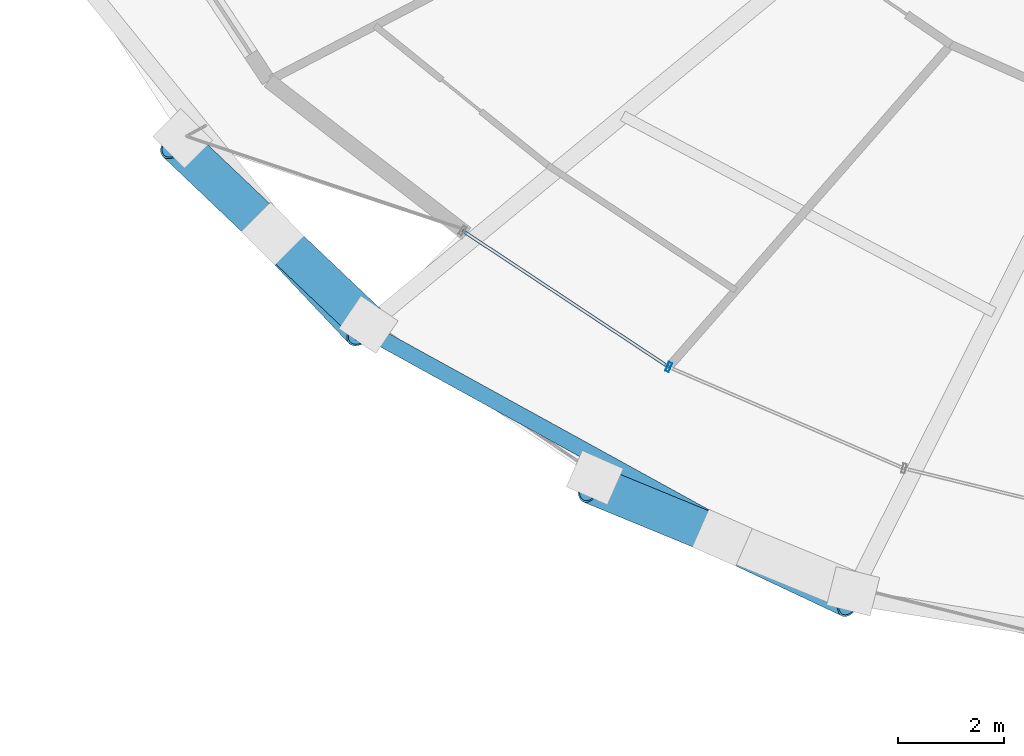
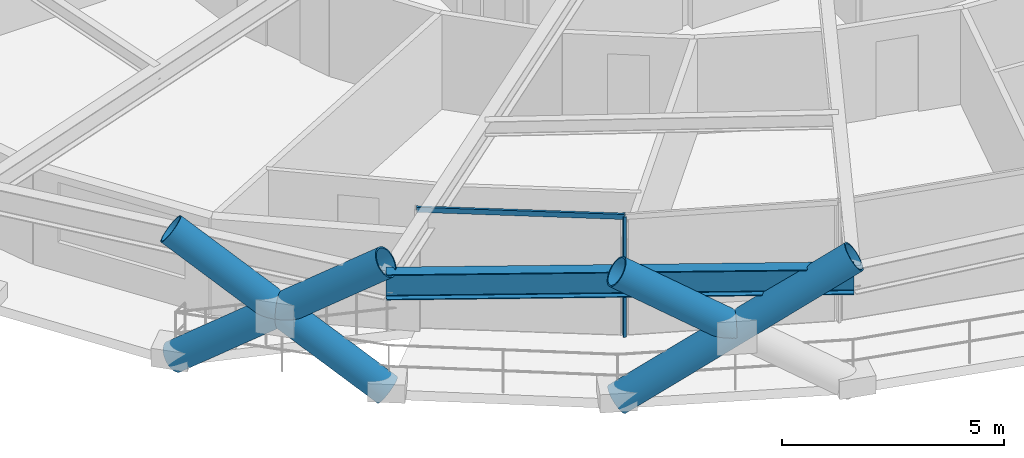
# One storey, part 1 of 20: 7 members, 1 beam, 1 element without a shape of its own.
"""IFC4 building model written with IfcOpenShell, lengths in metres."""

from ifc_helpers import new_model, si_unit, direction, frame, origin, origin_2d, place, context, subcontext, project, spatial, hollow_rectangle, hollow_circle, i_section, extrude, material, layer, layer_set, material_profile, profile_set, type_object, element, aggregate, save


model = new_model("IFC4")

# Units and contexts
model_context = context("Model", 3, precision=1e-05, world=origin(), true_north=direction((0.0, 1.0)))
body_context = subcontext(model_context, "Body", "Model", "MODEL_VIEW")
ifc_project = project(units=[si_unit("LENGTHUNIT", "METRE"), si_unit("AREAUNIT", "SQUARE_METRE"), si_unit("VOLUMEUNIT", "CUBIC_METRE"), si_unit("PLANEANGLEUNIT", "RADIAN"), si_unit("MASSUNIT", "GRAM", prefix="KILO")], contexts=[model_context])

# Site, building, storey
site_placement = place(None, origin())
site = spatial("IfcSite", under=ifc_project, at=site_placement, CompositionType="ELEMENT")
building_placement = place(site_placement, origin())
building = spatial("IfcBuilding", under=site, at=building_placement, Name="Veldorina Hangang Commons", CompositionType="ELEMENT")
storey_placement = place(building_placement, frame((0.0, 0.0, 48.39990234375)))
storey = spatial("IfcBuildingStorey", under=building, at=storey_placement, Name="L11", CompositionType="ELEMENT", Elevation=48.39990234375)

# Beam
ifc_material_1 = material(Name="Steel SM460-TMC", Category="steel")
ifc_material_profile_1 = material_profile(ifc_material_1, i_section(OverallWidth=0.300048828125, OverallDepth=0.699951171875, WebThickness=0.012939453125, FlangeThickness=0.02392578125, FilletRadius=0.02197265625, at=origin_2d()), Name="H-700x300x13x24")
ifc_profile_set_1 = profile_set([ifc_material_profile_1], Name="Steel SM460-TMC")
beam_type = type_object("IfcBeamType", Name="BM-RB700", PredefinedType="BEAM", material=ifc_profile_set_1)
beam_placement = place(storey_placement, frame((11.90966796875, 7.4453125, 2.989990234375), z_axis=(0.875992923986, -0.482323954544, 0.0), x_axis=(0.482323954544, 0.875992923986, 0.0)))
element("IfcBeam", 1, at=beam_placement, inside=storey, type_object=beam_type, Name="L11 perimeter hoop ring beam 20", PredefinedType="BEAM", context=body_context, shape_type="SweptSolid", body=[
    extrude(i_section(OverallWidth=0.300048828125, OverallDepth=0.699951171875, WebThickness=0.012939453125, FlangeThickness=0.02392578125, FilletRadius=0.02197265625, at=origin_2d()), origin(), (0.0, 0.0, 1.0), 10.5224609375),
])

# Curtain wall, members
ifc_material_2 = material(Name="Glass Low-E Triple IGU", Category="glass")
ifc_layer = layer(ifc_material_2, 0.179931640625)
ifc_layer_set = layer_set([ifc_layer], Name="Glass Low-E Triple IGU")
curtain_wall_type = type_object("IfcCurtainWallType", Name="CW-SYS-Z1", PredefinedType="NOTDEFINED", material=ifc_layer_set)
curtain_wall_placement = place(storey_placement, origin())
curtain_wall = element("IfcCurtainWall", 2, at=curtain_wall_placement, inside=storey, type_object=curtain_wall_type, Name="L11 unitised curtain wall CW-L11-R1", PredefinedType="NOTDEFINED")
ifc_material_3 = material(Name="Aluminium Anodized AA6063-T6", Category="aluminium")
ifc_material_profile_2 = material_profile(ifc_material_3, hollow_rectangle(XDim=0.070068359375, YDim=0.179931640625, WallThickness=0.00390625, at=origin_2d()), Name="ALU-RHS-180x70x4")
ifc_profile_set_2 = profile_set([ifc_material_profile_2], Name="Aluminium Anodized AA6063-T6")
member_type_1 = type_object("IfcMemberType", Name="CW-MUL-180", PredefinedType="MULLION", material=ifc_profile_set_2)
member_1_placement = place(storey_placement, frame((17.678466796875, 6.7236328125, 0.0), z_axis=(0.0, 0.0, 1.0), x_axis=(0.91839114382, -0.395673738014, 0.0)))
member_1 = element("IfcMember", 3, at=member_1_placement, type_object=member_type_1, Name="CW-L11-R1 vertical mullion 2", PredefinedType="MULLION", context=body_context, shape_type="SweptSolid", body=[
    extrude(hollow_rectangle(XDim=0.070068359375, YDim=0.179931640625, WallThickness=0.00390625, at=origin_2d()), origin(), (0.0, 0.0, 1.0), 3.300048828125),
])
ifc_material_profile_3 = material_profile(ifc_material_3, hollow_rectangle(XDim=0.06005859375, YDim=0.139892578125, WallThickness=0.00341796875, at=origin_2d()), Name="ALU-RHS-140x60x3.5")
ifc_profile_set_3 = profile_set([ifc_material_profile_3], Name="Aluminium Anodized AA6063-T6")
member_type_2 = type_object("IfcMemberType", Name="CW-TRN-140", PredefinedType="USERDEFINED", material=ifc_profile_set_3)
member_2_placement = place(storey_placement, frame((13.772216796875, 9.3076171875, 3.260009765625), z_axis=(0.834033795951, -0.551713356021, 0.0), x_axis=(0.551713356021, 0.834033795951, 0.0)))
member_2 = element("IfcMember", 4, at=member_2_placement, type_object=member_type_2, Name="CW-L11-R1 facet 1 transom 1", ObjectType="TRANSOM", PredefinedType="USERDEFINED", context=body_context, shape_type="SweptSolid", body=[
    extrude(hollow_rectangle(XDim=0.06005859375, YDim=0.139892578125, WallThickness=0.00341796875, at=origin_2d()), origin(), (0.0, 0.0, 1.0), 4.68359375),
])
aggregate(curtain_wall, [member_1, member_2])

# Members
ifc_material_profile_4 = material_profile(ifc_material_1, hollow_circle(Radius=0.375, WallThickness=0.035888671875, at=origin_2d()), Name="CHS-750x36")
ifc_profile_set_4 = profile_set([ifc_material_profile_4], Name="Steel SM460-TMC")
member_type_3 = type_object("IfcMemberType", Name="DG-CHS750", PredefinedType="BRACE", material=ifc_profile_set_4)
member_3_placement = place(storey_placement, frame((8.47119140625, 11.056396484375, 0.0), z_axis=(0.556374437556, -0.589795802786, 0.585310512678), x_axis=(0.727416243704, 0.68619647944, 0.0)))
element("IfcMember", 5, at=member_3_placement, inside=storey, type_object=member_type_3, Name="L11 continuous perimeter diagrid brace 19", PredefinedType="BRACE", context=body_context, shape_type="SweptSolid", body=[
    extrude(hollow_circle(Radius=0.375, WallThickness=0.035888671875, at=origin_2d()), origin(), (0.0, 0.0, 1.0), 6.150634765625),
])
member_4_placement = place(storey_placement, frame((11.990234375, 7.52587890625, 0.0), z_axis=(-0.588973165837, 0.559306369335, 0.583341233881), x_axis=(-0.688608283038, -0.72513352738, 0.0)))
element("IfcMember", 6, at=member_4_placement, inside=storey, type_object=member_type_3, Name="L11 split perimeter diagrid lower brace 20", PredefinedType="BRACE", context=body_context, shape_type="SweptSolid", body=[
    extrude(hollow_circle(Radius=0.375, WallThickness=0.035888671875, at=origin_2d()), origin(), (0.0, 0.0, 1.0), 3.077880859375),
])
member_5_placement = place(storey_placement, frame((10.177490234375, 9.247314453125, 1.79541015625), z_axis=(-0.588396181388, 0.55999030432, 0.583267342473), x_axis=(-0.68940529231, -0.724375829894, 0.0)))
element("IfcMember", 7, at=member_5_placement, inside=storey, type_object=member_type_3, Name="L11 split perimeter diagrid upper brace 20", PredefinedType="BRACE", context=body_context, shape_type="SweptSolid", body=[
    extrude(hollow_circle(Radius=0.375, WallThickness=0.035888671875, at=origin_2d()), origin(), (0.0, 0.0, 1.0), 3.093994140625),
])
member_6_placement = place(storey_placement, frame((16.278564453125, 4.62841796875, 0.0), z_axis=(0.750546410131, -0.353541282173, 0.558290827471), x_axis=(0.426135452035, 0.904659370437, 0.0)))
element("IfcMember", 8, at=member_6_placement, inside=storey, type_object=member_type_3, Name="L11 continuous perimeter diagrid brace 21", PredefinedType="BRACE", context=body_context, shape_type="SweptSolid", body=[
    extrude(hollow_circle(Radius=0.375, WallThickness=0.035888671875, at=origin_2d()), origin(), (0.0, 0.0, 1.0), 6.448486328125),
])
member_7_placement = place(storey_placement, frame((18.6923828125, 3.491455078125, 1.795654296875), z_axis=(-0.76836734604, 0.315633252932, 0.556765005351), x_axis=(-0.379974279382, -0.924997052432, 0.0)))
element("IfcMember", 9, at=member_7_placement, inside=storey, type_object=member_type_3, Name="L11 split perimeter diagrid upper brace 22", PredefinedType="BRACE", context=body_context, shape_type="SweptSolid", body=[
    extrude(hollow_circle(Radius=0.375, WallThickness=0.035888671875, at=origin_2d()), origin(), (0.0, 0.0, 1.0), 3.240966796875),
])

save(model, "model.ifc")
